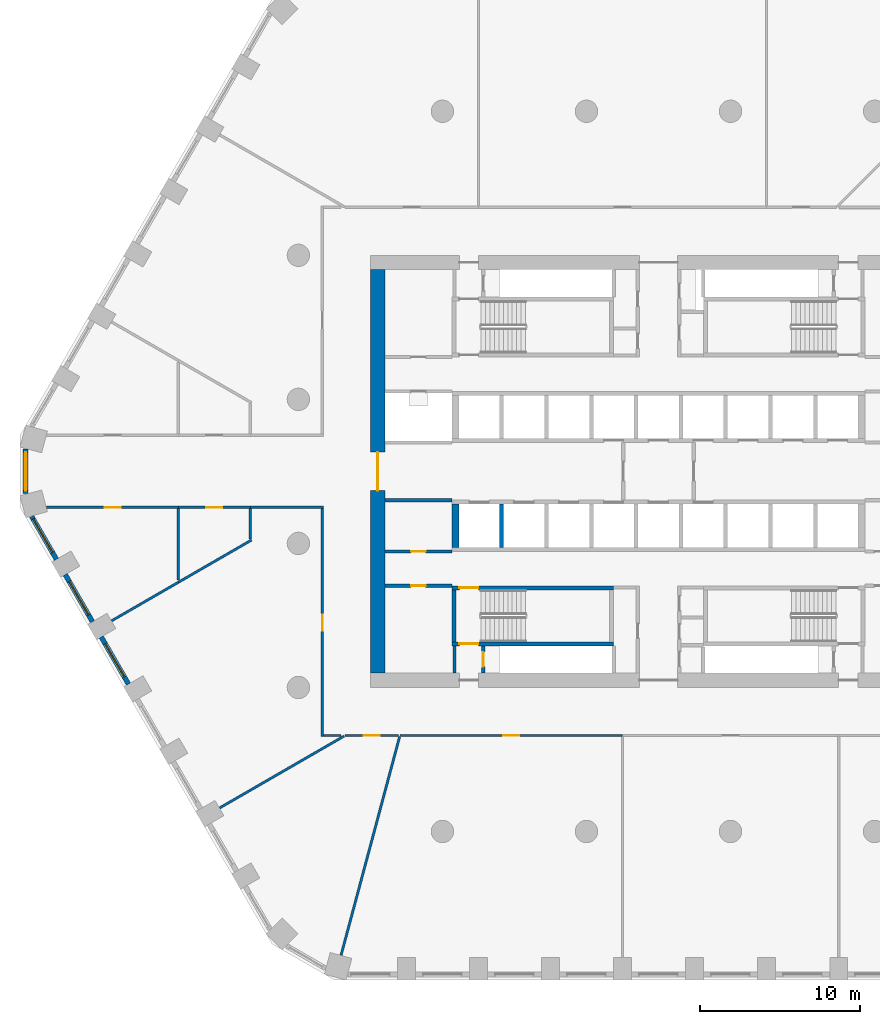
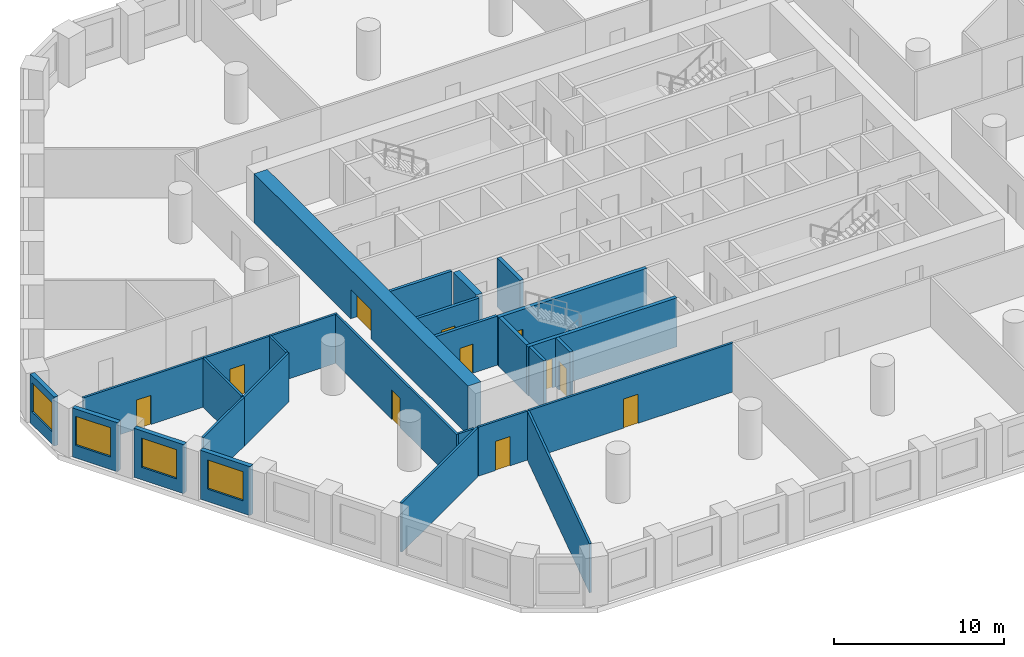
# One storey, part 2 of 10: 28 walls, 11 doors, 4 windows, 15 openings.
"""IFC4 building model written with IfcOpenShell, lengths in metres."""

from ifc_helpers import new_model, si_unit, direction, frame, frame_2d, origin, place, context, subcontext, project, spatial, polyline, rectangle, outline, extrude, material, layer, layer_set, type_object, element, fill, save


model = new_model("IFC4")

# Units and contexts
model_context = context("Model", 3, precision=1e-05, world=origin(), true_north=direction((0.0, 1.0)))
body_context = subcontext(model_context, "Body", "Model", "MODEL_VIEW")
ifc_project = project(units=[si_unit("LENGTHUNIT", "METRE"), si_unit("AREAUNIT", "SQUARE_METRE"), si_unit("VOLUMEUNIT", "CUBIC_METRE"), si_unit("PLANEANGLEUNIT", "RADIAN"), si_unit("MASSUNIT", "GRAM", prefix="KILO")], contexts=[model_context])

# Site, building, storey
site_placement = place(None, origin())
site = spatial("IfcSite", under=ifc_project, at=site_placement, CompositionType="ELEMENT")
building_placement = place(site_placement, origin())
building = spatial("IfcBuilding", under=site, at=building_placement, Name="Dhurran Vertical Campus", CompositionType="ELEMENT")
storey_placement = place(building_placement, frame((0.0, 0.0, 37.800048828125)))
storey = spatial("IfcBuildingStorey", under=building, at=storey_placement, Name="L08", CompositionType="ELEMENT", Elevation=37.800048828125)

# Wall, opening, window
ifc_material_1 = material(Name="Precast concrete C50/60", Category="concrete")
ifc_layer_1 = layer(ifc_material_1, 0.300048828125)
ifc_layer_set_1 = layer_set([ifc_layer_1], Name="Precast concrete C50/60")
wall_type_1 = type_object("IfcWallType", Name="Precast spandrel wall 300", PredefinedType="SOLIDWALL", material=ifc_layer_set_1)
wall_1_placement = place(storey_placement, frame((-39.547119140625, 1.39111328125, 0.0), z_axis=(0.0, 0.0, 1.0), x_axis=(0.0, -1.0, 0.0)))
wall_1 = element("IfcWall", 1, at=wall_1_placement, inside=storey, type_object=wall_type_1, Name="EW1 L08.43", PredefinedType="SOLIDWALL", context=body_context, shape_type="SweptSolid", body=[
    extrude(rectangle(XDim=2.7822265625, YDim=0.300048828125, at=frame_2d((1.39111328125, 0.0))), origin(), (0.0, 0.0, 1.0), 3.52490234375),
])
opening_1_placement = place(wall_1_placement, frame((0.191162109375, 0.0, 0.89990234375)))
opening_1 = element("IfcOpeningElement", 2, at=opening_1_placement, cuts=wall_1, Name="Opening WT1", PredefinedType="OPENING", context=body_context, shape_type="SweptSolid", body=[
    extrude(rectangle(XDim=2.39990234375, YDim=2.10009765625, at=frame_2d((1.199951171875, 1.050048828125))), frame((0.0, 0.159912109375, 0.0), z_axis=(0.0, -1.0, 0.0), x_axis=(1.0, 0.0, 0.0)), (0.0, 0.0, 1.0), 0.320068359375),
])
ifc_material_2 = material(Name="Aluminium frame with solar-control glass", Category="aluminium")
window_type = type_object("IfcWindowType", Name="Punched window 2400 x 2100", PartitioningType="SINGLE_PANEL", PredefinedType="WINDOW", material=ifc_material_2)
window_1_placement = place(opening_1_placement, origin())
window_1 = element("IfcWindow", 3, at=window_1_placement, inside=storey, type_object=window_type, Name="WT1 L08.43", OverallHeight=2.10009765625, OverallWidth=2.39990234375, PartitioningType="SINGLE_PANEL", PredefinedType="WINDOW", context=body_context, shape_type="SweptSolid", body=[
    extrude(rectangle(XDim=2.39990234375, YDim=2.10009765625, at=frame_2d((1.199951171875, 1.050048828125))), frame((0.0, 0.030029296875, 0.0), z_axis=(0.0, -1.0, 0.0), x_axis=(1.0, 0.0, 0.0)), (0.0, 0.0, 1.0), 0.06005859375),
])
fill(opening_1, window_1)

wall_2_placement = place(storey_placement, frame((-39.16455078125, -2.81884765625, 0.0), z_axis=(0.0, 0.0, 1.0), x_axis=(0.49997090907, -0.866042198789, 0.0)))
wall_2 = element("IfcWall", 4, at=wall_2_placement, inside=storey, type_object=wall_type_1, Name="EW1 L08.44", PredefinedType="SOLIDWALL", context=body_context, shape_type="SweptSolid", body=[
    extrude(rectangle(XDim=3.090576171875, YDim=0.300048828125, at=frame_2d((1.54541015625, 0.0))), origin(), (0.0, 0.0, 1.0), 3.52490234375),
])
opening_2_placement = place(wall_2_placement, frame((0.19091796875, 0.0, 0.89990234375)))
opening_2 = element("IfcOpeningElement", 5, at=opening_2_placement, cuts=wall_2, Name="Opening WT1", PredefinedType="OPENING", context=body_context, shape_type="SweptSolid", body=[
    extrude(rectangle(XDim=2.39990234375, YDim=2.10009765625, at=frame_2d((1.199951171875, 1.050048828125))), frame((0.0, 0.159912109375, 0.0), z_axis=(0.0, -1.0, 0.0), x_axis=(1.0, 0.0, 0.0)), (0.0, 0.0, 1.0), 0.320068359375),
])
window_2_placement = place(opening_2_placement, origin())
window_2 = element("IfcWindow", 6, at=window_2_placement, inside=storey, type_object=window_type, Name="WT1 L08.44", OverallHeight=2.10009765625, OverallWidth=2.39990234375, PartitioningType="SINGLE_PANEL", PredefinedType="WINDOW", context=body_context, shape_type="SweptSolid", body=[
    extrude(rectangle(XDim=2.39990234375, YDim=2.10009765625, at=frame_2d((1.199951171875, 1.050048828125))), frame((0.0, 0.030029296875, 0.0), z_axis=(0.0, -1.0, 0.0), x_axis=(1.0, 0.0, 0.0)), (0.0, 0.0, 1.0), 0.06005859375),
])
fill(opening_2, window_2)

wall_3_placement = place(storey_placement, frame((-37.06884765625, -6.448974609375, 0.0), z_axis=(0.0, 0.0, 1.0), x_axis=(0.499993955907, -0.866028893315, 0.0)))
wall_3 = element("IfcWall", 7, at=wall_3_placement, inside=storey, type_object=wall_type_1, Name="EW1 L08.45", PredefinedType="SOLIDWALL", context=body_context, shape_type="SweptSolid", body=[
    extrude(rectangle(XDim=3.39892578125, YDim=0.300048828125, at=frame_2d((1.699462890625, 0.0))), origin(), (0.0, 0.0, 1.0), 3.52490234375),
])
opening_3_placement = place(wall_3_placement, frame((0.49951171875, 0.0, 0.89990234375)))
opening_3 = element("IfcOpeningElement", 8, at=opening_3_placement, cuts=wall_3, Name="Opening WT1", PredefinedType="OPENING", context=body_context, shape_type="SweptSolid", body=[
    extrude(rectangle(XDim=2.39990234375, YDim=2.10009765625, at=frame_2d((1.199951171875, 1.050048828125))), frame((0.0, 0.159912109375, 0.0), z_axis=(0.0, -1.0, 0.0), x_axis=(1.0, 0.0, 0.0)), (0.0, 0.0, 1.0), 0.320068359375),
])
window_3_placement = place(opening_3_placement, origin())
window_3 = element("IfcWindow", 9, at=window_3_placement, inside=storey, type_object=window_type, Name="WT1 L08.45", OverallHeight=2.10009765625, OverallWidth=2.39990234375, PartitioningType="SINGLE_PANEL", PredefinedType="WINDOW", context=body_context, shape_type="SweptSolid", body=[
    extrude(rectangle(XDim=2.39990234375, YDim=2.10009765625, at=frame_2d((1.199951171875, 1.050048828125))), frame((0.0, 0.030029296875, 0.0), z_axis=(0.0, -1.0, 0.0), x_axis=(1.0, 0.0, 0.0)), (0.0, 0.0, 1.0), 0.06005859375),
])
fill(opening_3, window_3)

wall_4_placement = place(storey_placement, frame((-34.81884765625, -10.345947265625, 0.0), z_axis=(0.0, 0.0, 1.0), x_axis=(0.499993955907, -0.866028893315, 0.0)))
wall_4 = element("IfcWall", 10, at=wall_4_placement, inside=storey, type_object=wall_type_1, Name="EW1 L08.46", PredefinedType="SOLIDWALL", context=body_context, shape_type="SweptSolid", body=[
    extrude(rectangle(XDim=3.39892578125, YDim=0.300048828125, at=frame_2d((1.699462890625, 0.0))), origin(), (0.0, 0.0, 1.0), 3.52490234375),
])
opening_4_placement = place(wall_4_placement, frame((0.49951171875, 0.0, 0.89990234375)))
opening_4 = element("IfcOpeningElement", 11, at=opening_4_placement, cuts=wall_4, Name="Opening WT1", PredefinedType="OPENING", context=body_context, shape_type="SweptSolid", body=[
    extrude(rectangle(XDim=2.39990234375, YDim=2.10009765625, at=frame_2d((1.199951171875, 1.050048828125))), frame((0.0, 0.159912109375, 0.0), z_axis=(0.0, -1.0, 0.0), x_axis=(1.0, 0.0, 0.0)), (0.0, 0.0, 1.0), 0.320068359375),
])
window_4_placement = place(opening_4_placement, origin())
window_4 = element("IfcWindow", 12, at=window_4_placement, inside=storey, type_object=window_type, Name="WT1 L08.46", OverallHeight=2.10009765625, OverallWidth=2.39990234375, PartitioningType="SINGLE_PANEL", PredefinedType="WINDOW", context=body_context, shape_type="SweptSolid", body=[
    extrude(rectangle(XDim=2.39990234375, YDim=2.10009765625, at=frame_2d((1.199951171875, 1.050048828125))), frame((0.0, 0.030029296875, 0.0), z_axis=(0.0, -1.0, 0.0), x_axis=(1.0, 0.0, 0.0)), (0.0, 0.0, 1.0), 0.06005859375),
])
fill(opening_4, window_4)

# Wall, opening, door
ifc_material_3 = material(Name="Concrete C60/75", Category="concrete")
ifc_layer_2 = layer(ifc_material_3, 0.89990234375)
ifc_layer_set_2 = layer_set([ifc_layer_2], Name="Concrete C60/75")
wall_type_2 = type_object("IfcWallType", Name="co-CORE-WALL-C0-900", PredefinedType="SHEAR", material=ifc_layer_set_2)
wall_5_placement = place(storey_placement, frame((-17.550048828125, -12.60009765625, 0.0), z_axis=(0.0, 0.0, 1.0), x_axis=(0.0, 1.0, 0.0)))
wall_5 = element("IfcWall", 13, at=wall_5_placement, inside=storey, type_object=wall_type_2, Name="Core wall W L08", PredefinedType="SHEAR", context=body_context, shape_type="SweptSolid", body=[
    extrude(rectangle(XDim=25.2001953125, YDim=0.89990234375, at=frame_2d((12.60009765625, 0.0))), origin(), (0.0, 0.0, 1.0), 3.52490234375),
])
opening_5_placement = place(wall_5_placement, frame((11.39990234375, 0.0, 0.0)))
opening_5 = element("IfcOpeningElement", 14, at=opening_5_placement, cuts=wall_5, Name="Opening CL1", PredefinedType="OPENING", context=body_context, shape_type="SweptSolid", body=[
    extrude(rectangle(XDim=2.39990234375, YDim=2.10009765625, at=frame_2d((1.199951171875, 1.050048828125))), frame((0.0, 0.4599609375, 0.0), z_axis=(0.0, -1.0, 0.0), x_axis=(1.0, 0.0, 0.0)), (0.0, 0.0, 1.0), 0.919921875),
])
ifc_material_4 = material(Name="Fire-rated glazed door set")
door_type_1 = type_object("IfcDoorType", Name="co-D-LOBBY 2400x2100", OperationType="DOUBLE_DOOR_DOUBLE_SWING", PredefinedType="DOOR", material=ifc_material_4)
door_1_placement = place(opening_5_placement, origin())
door_1 = element("IfcDoor", 15, at=door_1_placement, inside=storey, type_object=door_type_1, Name="Lift lobby door W L08", OperationType="DOUBLE_DOOR_DOUBLE_SWING", OverallHeight=2.10009765625, OverallWidth=2.39990234375, PredefinedType="DOOR", context=body_context, shape_type="SweptSolid", body=[
    extrude(rectangle(XDim=2.39990234375, YDim=2.10009765625, at=frame_2d((1.199951171875, 1.050048828125))), frame((0.0, 0.02490234375, 0.0), z_axis=(0.0, -1.0, 0.0), x_axis=(1.0, 0.0, 0.0)), (0.0, 0.0, 1.0), 0.050048828125),
])
fill(opening_5, door_1)

# Wall
ifc_material_5 = material(Name="Fire-rated masonry blockwork", Category="masonry")
ifc_layer_3 = layer(ifc_material_5, 0.199951171875)
ifc_layer_set_3 = layer_set([ifc_layer_3], Name="Fire-rated masonry blockwork")
wall_type_3 = type_object("IfcWallType", Name="co-FIRE-PARTITION-200", PredefinedType="PARTITIONING", material=ifc_layer_set_3)
wall_6_placement = place(storey_placement, frame((-12.75, -12.60009765625, 0.0), z_axis=(0.0, 0.0, 1.0), x_axis=(0.0, 1.0, 0.0)))
element("IfcWall", 16, at=wall_6_placement, inside=storey, type_object=wall_type_3, Name="Core partition pass-ST3-o L08", PredefinedType="PARTITIONING", context=body_context, shape_type="SweptSolid", body=[
    extrude(rectangle(XDim=1.7001953125, YDim=0.199951171875, at=frame_2d((0.85009765625, 0.0))), origin(), (0.0, 0.0, 1.0), 3.52490234375),
])

# Wall, opening, door
wall_7_placement = place(storey_placement, frame((-10.949951171875, -12.60009765625, 0.0), z_axis=(0.0, 0.0, 1.0), x_axis=(0.0, 1.0, 0.0)))
wall_7 = element("IfcWall", 17, at=wall_7_placement, inside=storey, type_object=wall_type_3, Name="Core partition pass-ST3-i L08", PredefinedType="PARTITIONING", context=body_context, shape_type="SweptSolid", body=[
    extrude(rectangle(XDim=1.7001953125, YDim=0.199951171875, at=frame_2d((0.85009765625, 0.0))), origin(), (0.0, 0.0, 1.0), 3.52490234375),
])
opening_6_placement = place(wall_7_placement, frame((0.39990234375, 0.0, 0.0)))
opening_6 = element("IfcOpeningElement", 18, at=opening_6_placement, cuts=wall_7, Name="Opening T01-C11", PredefinedType="OPENING", context=body_context, shape_type="SweptSolid", body=[
    extrude(rectangle(XDim=0.89990234375, YDim=2.10009765625, at=frame_2d((0.449951171875, 1.050048828125))), frame((0.0, 0.10986328125, 0.0), z_axis=(0.0, -1.0, 0.0), x_axis=(1.0, 0.0, 0.0)), (0.0, 0.0, 1.0), 0.219970703125),
])
ifc_material_6 = material(Name="Fire-rated timber door set", Category="wood")
door_type_2 = type_object("IfcDoorType", Name="co-D-ROOM 900x2100", OperationType="SINGLE_SWING_LEFT", PredefinedType="DOOR", material=ifc_material_6)
door_2_placement = place(opening_6_placement, origin())
door_2 = element("IfcDoor", 19, at=door_2_placement, inside=storey, type_object=door_type_2, Name="Riser room door L08", OperationType="SINGLE_SWING_LEFT", OverallHeight=2.10009765625, OverallWidth=0.89990234375, PredefinedType="DOOR", context=body_context, shape_type="SweptSolid", body=[
    extrude(rectangle(XDim=0.89990234375, YDim=2.10009765625, at=frame_2d((0.449951171875, 1.050048828125))), frame((0.0, 0.02490234375, 0.0), z_axis=(0.0, -1.0, 0.0), x_axis=(1.0, 0.0, 0.0)), (0.0, 0.0, 1.0), 0.050048828125),
])
fill(opening_6, door_2)

wall_8_placement = place(storey_placement, frame((-17.10009765625, -7.14990234375, 0.0), z_axis=(0.0, 0.0, 1.0), x_axis=(1.0, 0.0, 0.0)))
wall_8 = element("IfcWall", 20, at=wall_8_placement, inside=storey, type_object=wall_type_3, Name="Core partition en-SW-w L08", PredefinedType="PARTITIONING", context=body_context, shape_type="SweptSolid", body=[
    extrude(rectangle(XDim=4.2001953125, YDim=0.199951171875, at=frame_2d((2.10009765625, 0.0))), origin(), (0.0, 0.0, 1.0), 3.52490234375),
])
opening_7_placement = place(wall_8_placement, frame((1.64990234375, 0.0, 0.0)))
opening_7 = element("IfcOpeningElement", 21, at=opening_7_placement, cuts=wall_8, Name="Opening T01-C17", PredefinedType="OPENING", context=body_context, shape_type="SweptSolid", body=[
    extrude(rectangle(XDim=0.89990234375, YDim=2.10009765625, at=frame_2d((0.449951171875, 1.050048828125))), frame((0.0, 0.10986328125, 0.0), z_axis=(0.0, -1.0, 0.0), x_axis=(1.0, 0.0, 0.0)), (0.0, 0.0, 1.0), 0.219970703125),
])
door_3_placement = place(opening_7_placement, origin())
door_3 = element("IfcDoor", 22, at=door_3_placement, inside=storey, type_object=door_type_2, Name="Cleaner's store door L08", OperationType="SINGLE_SWING_LEFT", OverallHeight=2.10009765625, OverallWidth=0.89990234375, PredefinedType="DOOR", context=body_context, shape_type="SweptSolid", body=[
    extrude(rectangle(XDim=0.89990234375, YDim=2.10009765625, at=frame_2d((0.449951171875, 1.050048828125))), frame((0.0, 0.02490234375, 0.0), z_axis=(0.0, -1.0, 0.0), x_axis=(1.0, 0.0, 0.0)), (0.0, 0.0, 1.0), 0.050048828125),
])
fill(opening_7, door_3)

wall_9_placement = place(storey_placement, frame((-17.10009765625, -5.0, 0.0), z_axis=(0.0, 0.0, 1.0), x_axis=(1.0, 0.0, 0.0)))
wall_9 = element("IfcWall", 23, at=wall_9_placement, inside=storey, type_object=wall_type_3, Name="Core partition es-SW-w L08", PredefinedType="PARTITIONING", context=body_context, shape_type="SweptSolid", body=[
    extrude(rectangle(XDim=4.2001953125, YDim=0.199951171875, at=frame_2d((2.10009765625, 0.0))), origin(), (0.0, 0.0, 1.0), 3.52490234375),
])
opening_8_placement = place(wall_9_placement, frame((1.64990234375, 0.0, 0.0)))
opening_8 = element("IfcOpeningElement", 24, at=opening_8_placement, cuts=wall_9, Name="Opening T01-C18", PredefinedType="OPENING", context=body_context, shape_type="SweptSolid", body=[
    extrude(rectangle(XDim=0.89990234375, YDim=2.10009765625, at=frame_2d((0.449951171875, 1.050048828125))), frame((0.0, 0.10986328125, 0.0), z_axis=(0.0, -1.0, 0.0), x_axis=(1.0, 0.0, 0.0)), (0.0, 0.0, 1.0), 0.219970703125),
])
door_4_placement = place(opening_8_placement, origin())
door_4 = element("IfcDoor", 25, at=door_4_placement, inside=storey, type_object=door_type_2, Name="Server room door L08", OperationType="SINGLE_SWING_LEFT", OverallHeight=2.10009765625, OverallWidth=0.89990234375, PredefinedType="DOOR", context=body_context, shape_type="SweptSolid", body=[
    extrude(rectangle(XDim=0.89990234375, YDim=2.10009765625, at=frame_2d((0.449951171875, 1.050048828125))), frame((0.0, 0.02490234375, 0.0), z_axis=(0.0, -1.0, 0.0), x_axis=(1.0, 0.0, 0.0)), (0.0, 0.0, 1.0), 0.050048828125),
])
fill(opening_8, door_4)

# Walls
wall_10_placement = place(storey_placement, frame((-17.10009765625, -1.800048828125, 0.0), z_axis=(0.0, 0.0, 1.0), x_axis=(1.0, 0.0, 0.0)))
element("IfcWall", 26, at=wall_10_placement, inside=storey, type_object=wall_type_3, Name="Core partition es-SW-l L08", PredefinedType="PARTITIONING", context=body_context, shape_type="SweptSolid", body=[
    extrude(rectangle(XDim=4.2001953125, YDim=0.199951171875, at=frame_2d((2.10009765625, 0.0))), origin(), (0.0, 0.0, 1.0), 3.52490234375),
])
ifc_material_7 = material(Name="Concrete C50/60", Category="concrete")
ifc_layer_4 = layer(ifc_material_7, 0.25)
ifc_layer_set_4 = layer_set([ifc_layer_4], Name="Concrete C50/60")
wall_type_4 = type_object("IfcWallType", Name="co-SHAFT-MASS-250", PredefinedType="SHEAR", material=ifc_layer_set_4)
wall_11_placement = place(storey_placement, origin())
element("IfcWall", 27, at=wall_11_placement, inside=storey, type_object=wall_type_4, Name="Lift shaft wall S L08 2", PredefinedType="SHEAR", context=body_context, shape_type="SweptSolid", body=[
    extrude(outline(polyline([(-12.89990234375, -4.75), (-12.47509765625, -4.75), (-12.47509765625, -2.050048828125), (-12.89990234375, -2.050048828125), (-12.89990234375, -4.75)])), origin(), (0.0, 0.0, 1.0), 3.52490234375),
])
wall_12_placement = place(storey_placement, origin())
element("IfcWall", 28, at=wall_12_placement, inside=storey, type_object=wall_type_4, Name="Lift shaft wall S L08 3", PredefinedType="SHEAR", context=body_context, shape_type="SweptSolid", body=[
    extrude(outline(polyline([(-9.925048828125, -4.75), (-9.675048828125, -4.75), (-9.675048828125, -2.050048828125), (-9.925048828125, -2.050048828125), (-9.925048828125, -4.75)])), origin(), (0.0, 0.0, 1.0), 3.52490234375),
])

# Wall, opening, door
ifc_material_8 = material(Name="Concrete C40/50", Category="concrete")
ifc_layer_5 = layer(ifc_material_8, 0.25)
ifc_layer_set_5 = layer_set([ifc_layer_5], Name="Concrete C40/50")
wall_type_5 = type_object("IfcWallType", Name="co-STAIR-WALL-250", PredefinedType="SHEAR", material=ifc_layer_set_5)
wall_13_placement = place(storey_placement, frame((-12.89990234375, -10.77490234375, 0.0), z_axis=(0.0, 0.0, 1.0), x_axis=(1.0, 0.0, 0.0)))
wall_13 = element("IfcWall", 29, at=wall_13_placement, inside=storey, type_object=wall_type_5, Name="Stair ST3 enclosure wall L08", PredefinedType="SHEAR", context=body_context, shape_type="SweptSolid", body=[
    extrude(rectangle(XDim=10.099853515625, YDim=0.25, at=frame_2d((5.0498046875, 0.0))), origin(), (0.0, 0.0, 1.0), 3.52490234375),
])
opening_9_placement = place(wall_13_placement, frame((0.449951171875, 0.0, 0.0)))
opening_9 = element("IfcOpeningElement", 30, at=opening_9_placement, cuts=wall_13, Name="Opening XS3", PredefinedType="OPENING", context=body_context, shape_type="SweptSolid", body=[
    extrude(rectangle(XDim=1.199951171875, YDim=2.10009765625, at=frame_2d((0.60009765625, 1.050048828125))), frame((0.0, 0.135009765625, 0.0), z_axis=(0.0, -1.0, 0.0), x_axis=(1.0, 0.0, 0.0)), (0.0, 0.0, 1.0), 0.27001953125),
])
ifc_material_9 = material(Name="Fire-rated steel door set", Category="steel")
door_type_3 = type_object("IfcDoorType", Name="co-D-STAIR-EXIT 1200x2100", OperationType="SINGLE_SWING_RIGHT", PredefinedType="DOOR", material=ifc_material_9)
door_5_placement = place(opening_9_placement, origin())
door_5 = element("IfcDoor", 31, at=door_5_placement, inside=storey, type_object=door_type_3, Name="Stair ST3 discharge door L08", OperationType="SINGLE_SWING_RIGHT", OverallHeight=2.10009765625, OverallWidth=1.199951171875, PredefinedType="DOOR", context=body_context, shape_type="SweptSolid", body=[
    extrude(rectangle(XDim=1.199951171875, YDim=2.10009765625, at=frame_2d((0.60009765625, 1.050048828125))), frame((0.0, 0.02490234375, 0.0), z_axis=(0.0, -1.0, 0.0), x_axis=(1.0, 0.0, 0.0)), (0.0, 0.0, 1.0), 0.050048828125),
])
fill(opening_9, door_5)

wall_14_placement = place(storey_placement, frame((-12.89990234375, -7.27490234375, 0.0), z_axis=(0.0, 0.0, 1.0), x_axis=(1.0, 0.0, 0.0)))
wall_14 = element("IfcWall", 32, at=wall_14_placement, inside=storey, type_object=wall_type_5, Name="Stair ST3 enclosure wall L08", PredefinedType="SHEAR", context=body_context, shape_type="SweptSolid", body=[
    extrude(rectangle(XDim=10.099853515625, YDim=0.25, at=frame_2d((5.0498046875, 0.0))), origin(), (0.0, 0.0, 1.0), 3.52490234375),
])
opening_10_placement = place(wall_14_placement, frame((0.449951171875, 0.0, 0.0)))
opening_10 = element("IfcOpeningElement", 33, at=opening_10_placement, cuts=wall_14, Name="Opening SD3", PredefinedType="OPENING", context=body_context, shape_type="SweptSolid", body=[
    extrude(rectangle(XDim=1.199951171875, YDim=2.10009765625, at=frame_2d((0.60009765625, 1.050048828125))), frame((0.0, 0.135009765625, 0.0), z_axis=(0.0, -1.0, 0.0), x_axis=(1.0, 0.0, 0.0)), (0.0, 0.0, 1.0), 0.27001953125),
])
ifc_material_10 = material(Name="Fire-rated steel door set", Category="steel")
door_type_4 = type_object("IfcDoorType", Name="co-D-STAIR 1200x2100", OperationType="SINGLE_SWING_LEFT", PredefinedType="DOOR", material=ifc_material_10)
door_6_placement = place(opening_10_placement, origin())
door_6 = element("IfcDoor", 34, at=door_6_placement, inside=storey, type_object=door_type_4, Name="Stair ST3 door L08", OperationType="SINGLE_SWING_LEFT", OverallHeight=2.10009765625, OverallWidth=1.199951171875, PredefinedType="DOOR", context=body_context, shape_type="SweptSolid", body=[
    extrude(rectangle(XDim=1.199951171875, YDim=2.10009765625, at=frame_2d((0.60009765625, 1.050048828125))), frame((0.0, 0.02490234375, 0.0), z_axis=(0.0, -1.0, 0.0), x_axis=(1.0, 0.0, 0.0)), (0.0, 0.0, 1.0), 0.050048828125),
])
fill(opening_10, door_6)

# Wall
wall_15_placement = place(storey_placement, frame((-12.77490234375, -10.64990234375, 0.0), z_axis=(0.0, 0.0, 1.0), x_axis=(0.0, 1.0, 0.0)))
element("IfcWall", 35, at=wall_15_placement, inside=storey, type_object=wall_type_5, Name="Stair ST3 enclosure wall L08", PredefinedType="SHEAR", context=body_context, shape_type="SweptSolid", body=[
    extrude(rectangle(XDim=3.25, YDim=0.25, at=frame_2d((1.625, 0.0))), origin(), (0.0, 0.0, 1.0), 3.52490234375),
])

# Wall, opening, door
ifc_material_11 = material(Name="Gypsum board corridor wall on steel studs", Category="steel")
ifc_layer_6 = layer(ifc_material_11, 0.14990234375)
ifc_layer_set_6 = layer_set([ifc_layer_6], Name="Gypsum board corridor wall on steel studs")
wall_type_6 = type_object("IfcWallType", Name="fl-CW-150 corridor wall", PredefinedType="PARTITIONING", material=ifc_layer_set_6)
wall_16_placement = place(storey_placement, frame((-30.0, -2.25, 0.0), z_axis=(0.0, 0.0, 1.0), x_axis=(-1.0, 0.0, 0.0)))
wall_16 = element("IfcWall", 36, at=wall_16_placement, inside=storey, type_object=wall_type_6, Name="Partition 08-01", PredefinedType="PARTITIONING", context=body_context, shape_type="SweptSolid", body=[
    extrude(rectangle(XDim=8.23291015625, YDim=0.14990234375, at=frame_2d((4.116455078125, 0.0))), origin(), (0.0, 0.0, 1.0), 3.52490234375),
])
opening_11_placement = place(wall_16_placement, frame((3.616455078125, 0.0, 0.0)))
opening_11 = element("IfcOpeningElement", 37, at=opening_11_placement, cuts=wall_16, Name="Opening T01.01", PredefinedType="OPENING", context=body_context, shape_type="SweptSolid", body=[
    extrude(rectangle(XDim=1.0, YDim=2.10009765625, at=frame_2d((0.5, 1.050048828125))), frame((0.0, 0.0849609375, 0.0), z_axis=(0.0, -1.0, 0.0), x_axis=(1.0, 0.0, 0.0)), (0.0, 0.0, 1.0), 0.169921875),
])
ifc_material_12 = material(Name="Solid-core timber door set, fire-rated", Category="wood")
door_type_5 = type_object("IfcDoorType", Name="fl-D-1000x2100", OperationType="SINGLE_SWING_LEFT", PredefinedType="DOOR", material=ifc_material_12)
door_7_placement = place(opening_11_placement, origin())
door_7 = element("IfcDoor", 38, at=door_7_placement, inside=storey, type_object=door_type_5, Name="Door 08.01", OperationType="SINGLE_SWING_RIGHT", OverallHeight=2.10009765625, OverallWidth=1.0, PredefinedType="DOOR", context=body_context, shape_type="SweptSolid", body=[
    extrude(rectangle(XDim=1.0, YDim=2.10009765625, at=frame_2d((0.5, 1.050048828125))), frame((0.0, 0.02490234375, 0.0), z_axis=(0.0, -1.0, 0.0), x_axis=(1.0, 0.0, 0.0)), (0.0, 0.0, 1.0), 0.050048828125),
])
fill(opening_11, door_7)

wall_17_placement = place(storey_placement, frame((-25.5, -2.25, 0.0), z_axis=(0.0, 0.0, 1.0), x_axis=(-1.0, 0.0, 0.0)))
wall_17 = element("IfcWall", 39, at=wall_17_placement, inside=storey, type_object=wall_type_6, Name="Partition 08-07", PredefinedType="PARTITIONING", context=body_context, shape_type="SweptSolid", body=[
    extrude(rectangle(XDim=4.5, YDim=0.14990234375, at=frame_2d((2.25, 0.0))), origin(), (0.0, 0.0, 1.0), 3.52490234375),
])
opening_12_placement = place(wall_17_placement, frame((1.75, 0.0, 0.0)))
opening_12 = element("IfcOpeningElement", 40, at=opening_12_placement, cuts=wall_17, Name="Opening T01.03", PredefinedType="OPENING", context=body_context, shape_type="SweptSolid", body=[
    extrude(rectangle(XDim=1.0, YDim=2.10009765625, at=frame_2d((0.5, 1.050048828125))), frame((0.0, 0.0849609375, 0.0), z_axis=(0.0, -1.0, 0.0), x_axis=(1.0, 0.0, 0.0)), (0.0, 0.0, 1.0), 0.169921875),
])
door_8_placement = place(opening_12_placement, origin())
door_8 = element("IfcDoor", 41, at=door_8_placement, inside=storey, type_object=door_type_5, Name="Door 08.03", OperationType="SINGLE_SWING_RIGHT", OverallHeight=2.10009765625, OverallWidth=1.0, PredefinedType="DOOR", context=body_context, shape_type="SweptSolid", body=[
    extrude(rectangle(XDim=1.0, YDim=2.10009765625, at=frame_2d((0.5, 1.050048828125))), frame((0.0, 0.02490234375, 0.0), z_axis=(0.0, -1.0, 0.0), x_axis=(1.0, 0.0, 0.0)), (0.0, 0.0, 1.0), 0.050048828125),
])
fill(opening_12, door_8)

# Wall
wall_18_placement = place(storey_placement, frame((-20.925048828125, -2.25, 0.0), z_axis=(0.0, 0.0, 1.0), x_axis=(-1.0, 0.0, 0.0)))
element("IfcWall", 42, at=wall_18_placement, inside=storey, type_object=wall_type_6, Name="Partition 08-14", PredefinedType="PARTITIONING", context=body_context, shape_type="SweptSolid", body=[
    extrude(rectangle(XDim=4.574951171875, YDim=0.14990234375, at=frame_2d((2.28759765625, 0.0))), origin(), (0.0, 0.0, 1.0), 3.52490234375),
])

# Wall, opening, door
wall_19_placement = place(storey_placement, frame((-21.0, -2.324951171875, 0.0), z_axis=(0.0, 0.0, 1.0), x_axis=(0.0, -1.0, 0.0)))
wall_19 = element("IfcWall", 43, at=wall_19_placement, inside=storey, type_object=wall_type_6, Name="Partition 08-17", PredefinedType="PARTITIONING", context=body_context, shape_type="SweptSolid", body=[
    extrude(rectangle(XDim=14.25, YDim=0.14990234375, at=frame_2d((7.125, 0.0))), origin(), (0.0, 0.0, 1.0), 3.52490234375),
])
opening_13_placement = place(wall_19_placement, frame((6.625, 0.0, 0.0)))
opening_13 = element("IfcOpeningElement", 44, at=opening_13_placement, cuts=wall_19, Name="Opening T01.05", PredefinedType="OPENING", context=body_context, shape_type="SweptSolid", body=[
    extrude(rectangle(XDim=1.0, YDim=2.10009765625, at=frame_2d((0.5, 1.050048828125))), frame((0.0, 0.0849609375, 0.0), z_axis=(0.0, -1.0, 0.0), x_axis=(1.0, 0.0, 0.0)), (0.0, 0.0, 1.0), 0.169921875),
])
door_9_placement = place(opening_13_placement, origin())
door_9 = element("IfcDoor", 45, at=door_9_placement, inside=storey, type_object=door_type_5, Name="Door 08.05", OperationType="SINGLE_SWING_LEFT", OverallHeight=2.10009765625, OverallWidth=1.0, PredefinedType="DOOR", context=body_context, shape_type="SweptSolid", body=[
    extrude(rectangle(XDim=1.0, YDim=2.10009765625, at=frame_2d((0.5, 1.050048828125))), frame((0.0, 0.02490234375, 0.0), z_axis=(0.0, -1.0, 0.0), x_axis=(1.0, 0.0, 0.0)), (0.0, 0.0, 1.0), 0.050048828125),
])
fill(opening_13, door_9)

# Wall
wall_20_placement = place(storey_placement, frame((-20.925048828125, -16.5, 0.0), z_axis=(0.0, 0.0, 1.0), x_axis=(1.0, 0.0, 0.0)))
element("IfcWall", 46, at=wall_20_placement, inside=storey, type_object=wall_type_6, Name="Partition 08-18", PredefinedType="PARTITIONING", context=body_context, shape_type="SweptSolid", body=[
    extrude(rectangle(XDim=1.071044921875, YDim=0.14990234375, at=frame_2d((0.53564453125, 0.0))), origin(), (0.0, 0.0, 1.0), 3.52490234375),
])

# Wall, opening, door
wall_21_placement = place(storey_placement, frame((-19.5791015625, -16.5, 0.0), z_axis=(0.0, 0.0, 1.0), x_axis=(1.0, 0.0, 0.0)))
wall_21 = element("IfcWall", 47, at=wall_21_placement, inside=storey, type_object=wall_type_6, Name="Partition 08-22", PredefinedType="PARTITIONING", context=body_context, shape_type="SweptSolid", body=[
    extrude(rectangle(XDim=3.328125, YDim=0.14990234375, at=frame_2d((1.6640625, 0.0))), origin(), (0.0, 0.0, 1.0), 3.52490234375),
])
opening_14_placement = place(wall_21_placement, frame((1.1640625, 0.0, 0.0)))
opening_14 = element("IfcOpeningElement", 48, at=opening_14_placement, cuts=wall_21, Name="Opening T01.07", PredefinedType="OPENING", context=body_context, shape_type="SweptSolid", body=[
    extrude(rectangle(XDim=1.0, YDim=2.10009765625, at=frame_2d((0.5, 1.050048828125))), frame((0.0, 0.0849609375, 0.0), z_axis=(0.0, -1.0, 0.0), x_axis=(1.0, 0.0, 0.0)), (0.0, 0.0, 1.0), 0.169921875),
])
door_10_placement = place(opening_14_placement, origin())
door_10 = element("IfcDoor", 49, at=door_10_placement, inside=storey, type_object=door_type_5, Name="Door 08.07", OperationType="SINGLE_SWING_LEFT", OverallHeight=2.10009765625, OverallWidth=1.0, PredefinedType="DOOR", context=body_context, shape_type="SweptSolid", body=[
    extrude(rectangle(XDim=1.0, YDim=2.10009765625, at=frame_2d((0.5, 1.050048828125))), frame((0.0, 0.02490234375, 0.0), z_axis=(0.0, -1.0, 0.0), x_axis=(1.0, 0.0, 0.0)), (0.0, 0.0, 1.0), 0.050048828125),
])
fill(opening_14, door_10)

wall_22_placement = place(storey_placement, frame((-16.156005859375, -16.5, 0.0), z_axis=(0.0, 0.0, 1.0), x_axis=(1.0, 0.0, 0.0)))
wall_22 = element("IfcWall", 50, at=wall_22_placement, inside=storey, type_object=wall_type_6, Name="Partition 08-24", PredefinedType="PARTITIONING", context=body_context, shape_type="SweptSolid", body=[
    extrude(rectangle(XDim=13.906005859375, YDim=0.14990234375, at=frame_2d((6.953125, 0.0))), origin(), (0.0, 0.0, 1.0), 3.52490234375),
])
opening_15_placement = place(wall_22_placement, frame((6.452880859375, 0.0, 0.0)))
opening_15 = element("IfcOpeningElement", 51, at=opening_15_placement, cuts=wall_22, Name="Opening T01.09", PredefinedType="OPENING", context=body_context, shape_type="SweptSolid", body=[
    extrude(rectangle(XDim=1.0, YDim=2.10009765625, at=frame_2d((0.5, 1.050048828125))), frame((0.0, 0.0849609375, 0.0), z_axis=(0.0, -1.0, 0.0), x_axis=(1.0, 0.0, 0.0)), (0.0, 0.0, 1.0), 0.169921875),
])
door_11_placement = place(opening_15_placement, origin())
door_11 = element("IfcDoor", 52, at=door_11_placement, inside=storey, type_object=door_type_5, Name="Door 08.09", OperationType="SINGLE_SWING_RIGHT", OverallHeight=2.10009765625, OverallWidth=1.0, PredefinedType="DOOR", context=body_context, shape_type="SweptSolid", body=[
    extrude(rectangle(XDim=1.0, YDim=2.10009765625, at=frame_2d((0.5, 1.050048828125))), frame((0.0, 0.02490234375, 0.0), z_axis=(0.0, -1.0, 0.0), x_axis=(1.0, 0.0, 0.0)), (0.0, 0.0, 1.0), 0.050048828125),
])
fill(opening_15, door_11)

# Walls
ifc_material_13 = material(Name="Gypsum board partition on steel studs", Category="steel")
ifc_layer_7 = layer(ifc_material_13, 0.14990234375)
ifc_layer_set_7 = layer_set([ifc_layer_7], Name="Gypsum board partition on steel studs")
wall_type_7 = type_object("IfcWallType", Name="fl-PW-150 fixed partition", PredefinedType="PARTITIONING", material=ifc_layer_set_7)
wall_23_placement = place(storey_placement, frame((-30.0, -6.927978515625, 0.0), z_axis=(0.0, 0.0, 1.0), x_axis=(-0.866011543723, -0.500024005562, 0.0)))
element("IfcWall", 53, at=wall_23_placement, inside=storey, type_object=wall_type_7, Name="Partition 08-03", PredefinedType="PARTITIONING", context=body_context, shape_type="SweptSolid", body=[
    extrude(rectangle(XDim=4.812255859375, YDim=0.14990234375, at=frame_2d((2.40625, 0.0))), origin(), (0.0, 0.0, 1.0), 3.52490234375),
])
wall_24_placement = place(storey_placement, frame((-30.0, -2.324951171875, 0.0), z_axis=(0.0, 0.0, 1.0), x_axis=(0.0, -1.0, 0.0)))
element("IfcWall", 54, at=wall_24_placement, inside=storey, type_object=wall_type_7, Name="Partition 08-05", PredefinedType="PARTITIONING", context=body_context, shape_type="SweptSolid", body=[
    extrude(rectangle(XDim=4.47314453125, YDim=0.14990234375, at=frame_2d((2.236572265625, 0.0))), origin(), (0.0, 0.0, 1.0), 3.52490234375),
])
wall_25_placement = place(storey_placement, frame((-25.43505859375, -4.29248046875, 0.0), z_axis=(0.0, 0.0, 1.0), x_axis=(-0.866031326857, -0.499989740797, 0.0)))
element("IfcWall", 55, at=wall_25_placement, inside=storey, type_object=wall_type_7, Name="Partition 08-06", PredefinedType="PARTITIONING", context=body_context, shape_type="SweptSolid", body=[
    extrude(rectangle(XDim=5.27099609375, YDim=0.14990234375, at=frame_2d((2.635498046875, 0.0))), origin(), (0.0, 0.0, 1.0), 3.52490234375),
])
wall_26_placement = place(storey_placement, frame((-19.643798828125, -16.53759765625, 0.0), z_axis=(0.0, 0.0, 1.0), x_axis=(-0.866004853516, -0.500035592419, 0.0)))
element("IfcWall", 56, at=wall_26_placement, inside=storey, type_object=wall_type_7, Name="Partition 08-11", PredefinedType="PARTITIONING", context=body_context, shape_type="SweptSolid", body=[
    extrude(rectangle(XDim=8.975830078125, YDim=0.14990234375, at=frame_2d((4.48779296875, 0.0))), origin(), (0.0, 0.0, 1.0), 3.52490234375),
])
wall_27_placement = place(storey_placement, frame((-25.5, -2.324951171875, 0.0), z_axis=(0.0, 0.0, 1.0), x_axis=(0.0, -1.0, 0.0)))
element("IfcWall", 57, at=wall_27_placement, inside=storey, type_object=wall_type_7, Name="Partition 08-13", PredefinedType="PARTITIONING", context=body_context, shape_type="SweptSolid", body=[
    extrude(rectangle(XDim=1.905029296875, YDim=0.14990234375, at=frame_2d((0.95263671875, 0.0))), origin(), (0.0, 0.0, 1.0), 3.52490234375),
])
wall_28_placement = place(storey_placement, frame((-16.17529296875, -16.572509765625, 0.0), z_axis=(0.0, 0.0, 1.0), x_axis=(-0.258833057728, -0.965922071508, 0.0)))
element("IfcWall", 58, at=wall_28_placement, inside=storey, type_object=wall_type_7, Name="Partition 08-21", PredefinedType="PARTITIONING", context=body_context, shape_type="SweptSolid", body=[
    extrude(rectangle(XDim=14.13623046875, YDim=0.14990234375, at=frame_2d((7.068115234375, 0.0))), origin(), (0.0, 0.0, 1.0), 3.52490234375),
])

save(model, "model.ifc")
